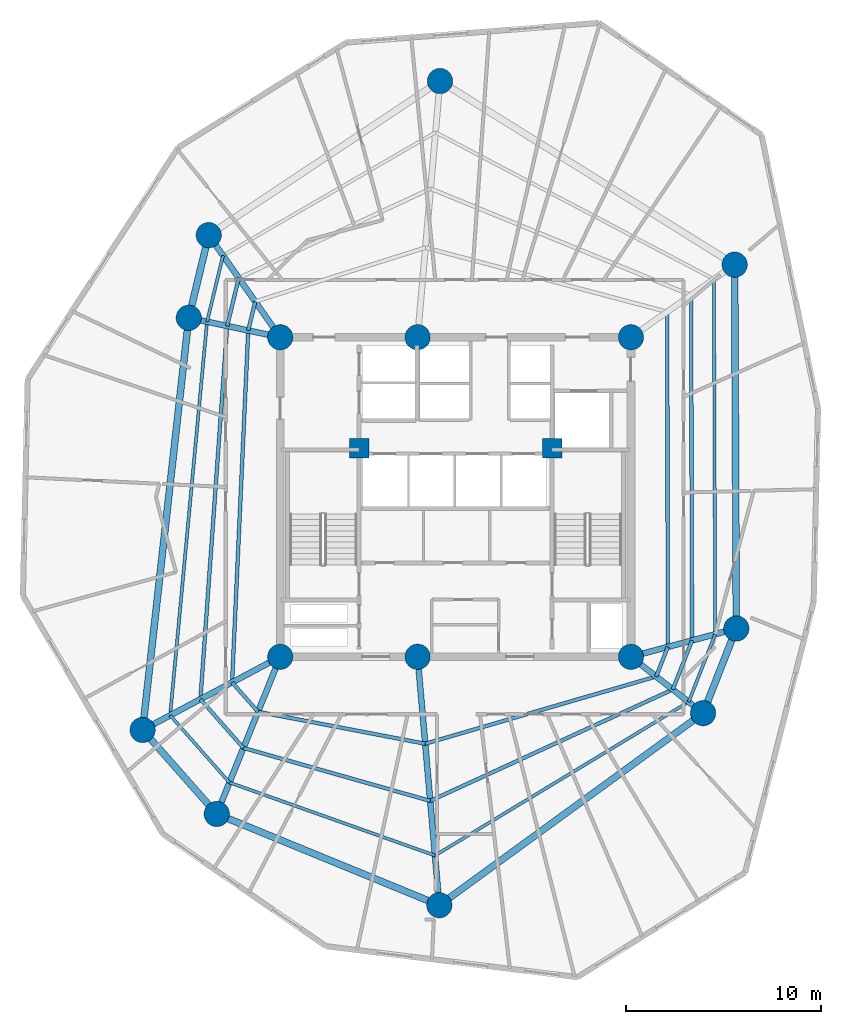
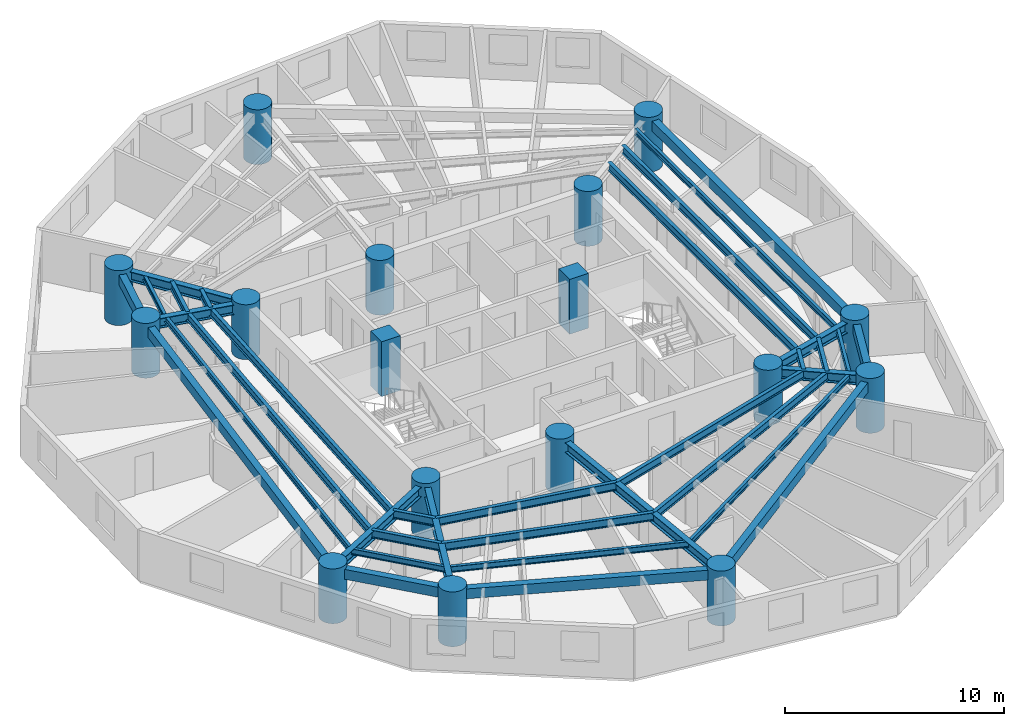
# One storey, part 1 of 8: 35 beams, 17 columns.
"""IFC4 building model written with IfcOpenShell, lengths in metres."""

from ifc_helpers import new_model, si_unit, direction, frame, origin, origin_with_axes, origin_2d, place, context, subcontext, project, spatial, rectangle, circle, i_section, extrude, source, transform, mapped, material, material_profile, profile_set, type_object, element, save


model = new_model("IFC4")

# Units and contexts
model_context = context("Model", 3, precision=1e-05, world=origin(), true_north=direction((0.0, 1.0)))
body_context = subcontext(model_context, "Body", "Model", "MODEL_VIEW")
ifc_project = project(units=[si_unit("LENGTHUNIT", "METRE"), si_unit("AREAUNIT", "SQUARE_METRE"), si_unit("VOLUMEUNIT", "CUBIC_METRE"), si_unit("PLANEANGLEUNIT", "RADIAN"), si_unit("MASSUNIT", "GRAM", prefix="KILO")], contexts=[model_context])

# Site, building, storey
site_placement = place(None, origin())
site = spatial("IfcSite", under=ifc_project, at=site_placement, CompositionType="ELEMENT")
building_placement = place(site_placement, origin())
building = spatial("IfcBuilding", under=site, at=building_placement, Name="Karkom Vertical University and Central Library", CompositionType="ELEMENT")
storey_placement = place(building_placement, frame((0.0, 0.0, 184.0)))
storey = spatial("IfcBuildingStorey", under=building, at=storey_placement, Name="L53", CompositionType="ELEMENT", Elevation=184.0)

# Columns
ifc_material_1 = material(Name="Concrete C50/60", Category="concrete")
ifc_material_profile_1 = material_profile(ifc_material_1, circle(Radius=0.64990234375, at=origin_2d()), Name="CFT-D1300")
ifc_profile_set_1 = profile_set([ifc_material_profile_1], Name="Concrete C50/60")
column_type_1 = type_object("IfcColumnType", Name="STR-COL-C-SC4", PredefinedType="COLUMN", material=ifc_profile_set_1)
shared_shape_1 = source(origin_with_axes(), body_context, "Body", "SweptSolid", [
    extrude(circle(Radius=0.64990234375, at=origin_2d()), origin(), (0.0, 0.0, 1.0), 3.050048828125),
])
for number, where, z_axis, x_axis, name in (
    (1, (19.5, 18.300048828125, 0.0), (0.0, 0.0, 1.0), (1.0, 0.0, 0.0), "Level 53 Spine Mega-Column SC-1"),
    (2, (26.550048828125, 18.300048828125, 0.0), (0.0, 0.0, 1.0), (1.0, 0.0, 0.0), "Level 53 Spine Mega-Column SC-2"),
    (3, (37.5, 18.300048828125, 0.0), (0.0, 0.0, 1.0), (1.0, 0.0, 0.0), "Level 53 Spine Mega-Column SC-3"),
    (4, (19.5, 34.699951171875, 0.0), (0.0, 0.0, 1.0), (1.0, 0.0, 0.0), "Level 53 Spine Mega-Column SC-4"),
    (5, (26.550048828125, 34.699951171875, 0.0), (0.0, 0.0, 1.0), (1.0, 0.0, 0.0), "Level 53 Spine Mega-Column SC-5"),
    (6, (37.5, 34.699951171875, 0.0), (0.0, 0.0, 1.0), (1.0, 0.0, 0.0), "Level 53 Spine Mega-Column SC-6"),
    (7, (42.908935546875, 19.7490234375, 0.0), (0.0, 0.0, 1.0), (1.0, 0.0, 0.0), "Level 53 Perimeter Mega-Column Z3-PC1"),
    (8, (42.823974609375, 38.427978515625, 0.0), (0.0, 0.0, 1.0), (1.0, 0.0, 0.0), "Level 53 Perimeter Mega-Column Z3-PC2"),
    (9, (27.699951171875, 47.85009765625, 0.0), (0.0, 0.0, 1.0), (1.0, 0.0, 0.0), "Level 53 Perimeter Mega-Column Z3-PC3"),
    (10, (15.8291015625, 39.943115234375, 0.0), (0.0, 0.0, 1.0), (1.0, 0.0, 0.0), "Level 53 Perimeter Mega-Column Z3-PC4"),
    (11, (14.804931640625, 35.697998046875, 0.0), (0.0, 0.0, 1.0), (1.0, 0.0, 0.0), "Level 53 Perimeter Mega-Column Z3-PC5"),
    (12, (12.43603515625, 14.5439453125, 0.0), (0.0, 0.0, 1.0), (1.0, 0.0, 0.0), "Level 53 Perimeter Mega-Column Z3-PC6"),
    (13, (16.240966796875, 10.23388671875, 0.0), (0.0, 0.0, 1.0), (1.0, 0.0, 0.0), "Level 53 Perimeter Mega-Column Z3-PC7"),
    (14, (27.666015625, 5.549072265625, 0.0), (0.0, 0.0, 1.0), (1.0, 0.0, 0.0), "Level 53 Perimeter Mega-Column Z3-PC8"),
    (15, (41.2041015625, 15.406005859375, 0.0), (0.0, 0.0, 1.0), (1.0, 0.0, 0.0), "Level 53 Perimeter Mega-Column Z3-PC9"),
):
    element("IfcColumn", number, at=place(storey_placement, frame(where, z_axis=z_axis, x_axis=x_axis)), inside=storey, type_object=column_type_1, Name=name, PredefinedType="COLUMN", context=body_context, shape_type="MappedRepresentation", body=[
        mapped(shared_shape_1, transform((0.0, 0.0, 0.0), scale=1.0)),
    ])
ifc_material_profile_2 = material_profile(ifc_material_1, rectangle(XDim=1.0, YDim=1.0, at=origin_2d()), Name="RC-1000x1000")
ifc_profile_set_2 = profile_set([ifc_material_profile_2], Name="Concrete C50/60")
column_type_2 = type_object("IfcColumnType", Name="STR-COL-C-CC2", PredefinedType="COLUMN", material=ifc_profile_set_2)
shared_shape_2 = source(origin_with_axes(), body_context, "Body", "SweptSolid", [
    extrude(rectangle(XDim=1.0, YDim=1.0, at=origin_2d()), origin(), (0.0, 0.0, 1.0), 3.050048828125),
])
for number, where, z_axis, x_axis, name in (
    (16, (23.550048828125, 29.0, 0.0), (0.0, 0.0, 1.0), (1.0, 0.0, 0.0), "Level 53 Core Node Column CC-1"),
    (17, (33.449951171875, 29.0, 0.0), (0.0, 0.0, 1.0), (1.0, 0.0, 0.0), "Level 53 Core Node Column CC-2"),
):
    element("IfcColumn", number, at=place(storey_placement, frame(where, z_axis=z_axis, x_axis=x_axis)), inside=storey, type_object=column_type_2, Name=name, PredefinedType="COLUMN", context=body_context, shape_type="MappedRepresentation", body=[
        mapped(shared_shape_2, transform((0.0, 0.0, 0.0), scale=1.0)),
    ])

# Beams
ifc_material_2 = material(Name="Precast concrete C45/55", Category="concrete")
ifc_material_profile_3 = material_profile(ifc_material_2, rectangle(XDim=0.35009765625, YDim=0.550048828125, at=origin_2d()), Name="SPB-350x550")
ifc_profile_set_3 = profile_set([ifc_material_profile_3], Name="Precast concrete C45/55")
beam_type_1 = type_object("IfcBeamType", Name="STR-BM-SP-2", PredefinedType="SPANDREL", material=ifc_profile_set_3)
shared_shape_3 = source(origin_with_axes(), body_context, "Body", "SweptSolid", [
    extrude(rectangle(XDim=0.35009765625, YDim=0.550048828125, at=origin_2d()), origin(), (0.0, 0.0, 1.0), 18.67919921875),
])
beam_1_placement = place(storey_placement, frame((42.908935546875, 19.7490234375, 2.550048828125), z_axis=(-0.004548437442, 0.999989655805, 0.0), x_axis=(-0.999989655805, -0.004548437442, 0.0)))
element("IfcBeam", 18, at=beam_1_placement, inside=storey, type_object=beam_type_1, Name="Level 53 Perimeter Spandrel Beam 01", PredefinedType="SPANDREL", context=body_context, shape_type="MappedRepresentation", body=[
    mapped(shared_shape_3, transform((0.0, 0.0, 0.0), scale=1.0)),
])
shared_shape_4 = source(origin_with_axes(), body_context, "Body", "SweptSolid", [
    extrude(rectangle(XDim=0.35009765625, YDim=0.550048828125, at=origin_2d()), origin(), (0.0, 0.0, 1.0), 4.366943359375),
])
beam_2_placement = place(storey_placement, frame((15.8291015625, 39.943115234375, 2.550048828125), z_axis=(-0.234529408772, -0.972109024966, 0.0), x_axis=(0.972109024966, -0.234529408772, 0.0)))
element("IfcBeam", 19, at=beam_2_placement, inside=storey, type_object=beam_type_1, Name="Level 53 Perimeter Spandrel Beam 04", PredefinedType="SPANDREL", context=body_context, shape_type="MappedRepresentation", body=[
    mapped(shared_shape_4, transform((0.0, 0.0, 0.0), scale=1.0)),
])
shared_shape_5 = source(origin_with_axes(), body_context, "Body", "SweptSolid", [
    extrude(rectangle(XDim=0.35009765625, YDim=0.550048828125, at=origin_2d()), origin(), (0.0, 0.0, 1.0), 21.286376953125),
])
beam_3_placement = place(storey_placement, frame((14.804931640625, 35.697998046875, 2.550048828125), z_axis=(-0.111287493264, -0.993788254028, 0.0), x_axis=(0.993788254028, -0.111287493264, 0.0)))
element("IfcBeam", 20, at=beam_3_placement, inside=storey, type_object=beam_type_1, Name="Level 53 Perimeter Spandrel Beam 05", PredefinedType="SPANDREL", context=body_context, shape_type="MappedRepresentation", body=[
    mapped(shared_shape_5, transform((0.0, 0.0, 0.0), scale=1.0)),
])
shared_shape_6 = source(origin_with_axes(), body_context, "Body", "SweptSolid", [
    extrude(rectangle(XDim=0.35009765625, YDim=0.550048828125, at=origin_2d()), origin(), (0.0, 0.0, 1.0), 5.749267578125),
])
beam_4_placement = place(storey_placement, frame((12.43603515625, 14.5439453125, 2.550048828125), z_axis=(0.661811219671, -0.74967053398, 0.0), x_axis=(0.74967053398, 0.661811219671, 0.0)))
element("IfcBeam", 21, at=beam_4_placement, inside=storey, type_object=beam_type_1, Name="Level 53 Perimeter Spandrel Beam 06", PredefinedType="SPANDREL", context=body_context, shape_type="MappedRepresentation", body=[
    mapped(shared_shape_6, transform((0.0, 0.0, 0.0), scale=1.0)),
])
shared_shape_7 = source(origin_with_axes(), body_context, "Body", "SweptSolid", [
    extrude(rectangle(XDim=0.35009765625, YDim=0.550048828125, at=origin_2d()), origin(), (0.0, 0.0, 1.0), 12.34814453125),
])
beam_5_placement = place(storey_placement, frame((16.240966796875, 10.23388671875, 2.550048828125), z_axis=(0.925236428984, -0.37939102583, 0.0), x_axis=(0.37939102583, 0.925236428984, 0.0)))
element("IfcBeam", 22, at=beam_5_placement, inside=storey, type_object=beam_type_1, Name="Level 53 Perimeter Spandrel Beam 07", PredefinedType="SPANDREL", context=body_context, shape_type="MappedRepresentation", body=[
    mapped(shared_shape_7, transform((0.0, 0.0, 0.0), scale=1.0)),
])
shared_shape_8 = source(origin_with_axes(), body_context, "Body", "SweptSolid", [
    extrude(rectangle(XDim=0.35009765625, YDim=0.550048828125, at=origin_2d()), origin(), (0.0, 0.0, 1.0), 16.746337890625),
])
beam_6_placement = place(storey_placement, frame((27.666015625, 5.549072265625, 2.550048828125), z_axis=(0.808422013284, 0.588603303115, 0.0), x_axis=(-0.588603303115, 0.808422013284, 0.0)))
element("IfcBeam", 23, at=beam_6_placement, inside=storey, type_object=beam_type_1, Name="Level 53 Perimeter Spandrel Beam 08", PredefinedType="SPANDREL", context=body_context, shape_type="MappedRepresentation", body=[
    mapped(shared_shape_8, transform((0.0, 0.0, 0.0), scale=1.0)),
])
shared_shape_9 = source(origin_with_axes(), body_context, "Body", "SweptSolid", [
    extrude(rectangle(XDim=0.35009765625, YDim=0.550048828125, at=origin_2d()), origin(), (0.0, 0.0, 1.0), 4.66552734375),
])
beam_7_placement = place(storey_placement, frame((41.2041015625, 15.406005859375, 2.550048828125), z_axis=(0.365401419454, 0.930850043058, 0.0), x_axis=(-0.930850043058, 0.365401419454, 0.0)))
element("IfcBeam", 24, at=beam_7_placement, inside=storey, type_object=beam_type_1, Name="Level 53 Perimeter Spandrel Beam 09", PredefinedType="SPANDREL", context=body_context, shape_type="MappedRepresentation", body=[
    mapped(shared_shape_9, transform((0.0, 0.0, 0.0), scale=1.0)),
])
ifc_material_3 = material(Name="Steel S355", Category="steel")
ifc_material_profile_4 = material_profile(ifc_material_3, i_section(OverallWidth=0.18994140625, OverallDepth=0.449951171875, WebThickness=0.009521484375, FlangeThickness=0.0146484375, FilletRadius=0.02099609375, at=origin_2d()), Name="IPE 450")
ifc_profile_set_4 = profile_set([ifc_material_profile_4], Name="Steel S355")
beam_type_2 = type_object("IfcBeamType", Name="STR-BM-SB-IPE450", PredefinedType="BEAM", material=ifc_profile_set_4)
shared_shape_10 = source(origin_with_axes(), body_context, "Body", "SweptSolid", [
    extrude(i_section(OverallWidth=0.18994140625, OverallDepth=0.449951171875, WebThickness=0.009521484375, FlangeThickness=0.0146484375, FilletRadius=0.02099609375, at=origin_2d()), origin(), (0.0, 0.0, 1.0), 17.19775390625),
])
beam_8_placement = place(storey_placement, frame((39.39306640625, 18.80712890625, 2.60009765625), z_axis=(-0.001731918699, 0.999998500228, 0.0), x_axis=(-0.999998500228, -0.001731918699, 0.0)))
element("IfcBeam", 25, at=beam_8_placement, inside=storey, type_object=beam_type_2, Name="Level 53 Secondary Composite Floor Beam 1.01", PredefinedType="BEAM", context=body_context, shape_type="MappedRepresentation", body=[
    mapped(shared_shape_10, transform((0.0, 0.0, 0.0), scale=1.0)),
])
shared_shape_11 = source(origin_with_axes(), body_context, "Body", "SweptSolid", [
    extrude(i_section(OverallWidth=0.18994140625, OverallDepth=0.449951171875, WebThickness=0.009521484375, FlangeThickness=0.0146484375, FilletRadius=0.02099609375, at=origin_2d()), origin(), (0.0, 0.0, 1.0), 1.5283203125),
])
beam_9_placement = place(storey_placement, frame((18.215087890625, 36.534912109375, 2.60009765625), z_axis=(-0.234520804587, -0.972111100757, 0.0), x_axis=(0.972111100757, -0.234520804587, 0.0)))
element("IfcBeam", 26, at=beam_9_placement, inside=storey, type_object=beam_type_2, Name="Level 53 Secondary Composite Floor Beam 1.04", PredefinedType="BEAM", context=body_context, shape_type="MappedRepresentation", body=[
    mapped(shared_shape_11, transform((0.0, 0.0, 0.0), scale=1.0)),
])
shared_shape_12 = source(origin_with_axes(), body_context, "Body", "SweptSolid", [
    extrude(i_section(OverallWidth=0.18994140625, OverallDepth=0.449951171875, WebThickness=0.009521484375, FlangeThickness=0.0146484375, FilletRadius=0.02099609375, at=origin_2d()), origin(), (0.0, 0.0, 1.0), 18.0830078125),
])
beam_10_placement = place(storey_placement, frame((17.856689453125, 35.04931640625, 2.60009765625), z_axis=(-0.04584982532, -0.998948343769, 0.0), x_axis=(0.998948343769, -0.04584982532, 0.0)))
element("IfcBeam", 27, at=beam_10_placement, inside=storey, type_object=beam_type_2, Name="Level 53 Secondary Composite Floor Beam 1.05", PredefinedType="BEAM", context=body_context, shape_type="MappedRepresentation", body=[
    mapped(shared_shape_12, transform((0.0, 0.0, 0.0), scale=1.0)),
])
shared_shape_13 = source(origin_with_axes(), body_context, "Body", "SweptSolid", [
    extrude(i_section(OverallWidth=0.18994140625, OverallDepth=0.449951171875, WebThickness=0.009521484375, FlangeThickness=0.0146484375, FilletRadius=0.02099609375, at=origin_2d()), origin(), (0.0, 0.0, 1.0), 2.01220703125),
])
beam_11_placement = place(storey_placement, frame((17.027587890625, 16.9853515625, 2.60009765625), z_axis=(0.661822246424, -0.749660799387, 0.0), x_axis=(0.749660799387, 0.661822246424, 0.0)))
element("IfcBeam", 28, at=beam_11_placement, inside=storey, type_object=beam_type_2, Name="Level 53 Secondary Composite Floor Beam 1.06", PredefinedType="BEAM", context=body_context, shape_type="MappedRepresentation", body=[
    mapped(shared_shape_13, transform((0.0, 0.0, 0.0), scale=1.0)),
])
shared_shape_14 = source(origin_with_axes(), body_context, "Body", "SweptSolid", [
    extrude(i_section(OverallWidth=0.18994140625, OverallDepth=0.449951171875, WebThickness=0.009521484375, FlangeThickness=0.0146484375, FilletRadius=0.02099609375, at=origin_2d()), origin(), (0.0, 0.0, 1.0), 8.736572265625),
])
beam_12_placement = place(storey_placement, frame((18.359375, 15.476806640625, 2.60009765625), z_axis=(0.982230782932, -0.187677087205, 0.0), x_axis=(0.187677087205, 0.982230782932, 0.0)))
element("IfcBeam", 29, at=beam_12_placement, inside=storey, type_object=beam_type_2, Name="Level 53 Secondary Composite Floor Beam 1.07", PredefinedType="BEAM", context=body_context, shape_type="MappedRepresentation", body=[
    mapped(shared_shape_14, transform((0.0, 0.0, 0.0), scale=1.0)),
])
shared_shape_15 = source(origin_with_axes(), body_context, "Body", "SweptSolid", [
    extrude(i_section(OverallWidth=0.18994140625, OverallDepth=0.449951171875, WebThickness=0.009521484375, FlangeThickness=0.0146484375, FilletRadius=0.02099609375, at=origin_2d()), origin(), (0.0, 0.0, 1.0), 12.347412109375),
])
beam_13_placement = place(storey_placement, frame((26.940673828125, 13.837158203125, 2.60009765625), z_axis=(0.960173212987, 0.279405442077, 0.0), x_axis=(-0.279405442077, 0.960173212987, 0.0)))
element("IfcBeam", 30, at=beam_13_placement, inside=storey, type_object=beam_type_2, Name="Level 53 Secondary Composite Floor Beam 1.08", PredefinedType="BEAM", context=body_context, shape_type="MappedRepresentation", body=[
    mapped(shared_shape_15, transform((0.0, 0.0, 0.0), scale=1.0)),
])
shared_shape_16 = source(origin_with_axes(), body_context, "Body", "SweptSolid", [
    extrude(i_section(OverallWidth=0.18994140625, OverallDepth=0.449951171875, WebThickness=0.009521484375, FlangeThickness=0.0146484375, FilletRadius=0.02099609375, at=origin_2d()), origin(), (0.0, 0.0, 1.0), 1.633056640625),
])
beam_14_placement = place(storey_placement, frame((38.79638671875, 17.287109375, 2.60009765625), z_axis=(0.365402570083, 0.930849591382, 0.0), x_axis=(-0.930849591382, 0.365402570083, 0.0)))
element("IfcBeam", 31, at=beam_14_placement, inside=storey, type_object=beam_type_2, Name="Level 53 Secondary Composite Floor Beam 1.09", PredefinedType="BEAM", context=body_context, shape_type="MappedRepresentation", body=[
    mapped(shared_shape_16, transform((0.0, 0.0, 0.0), scale=1.0)),
])
shared_shape_17 = source(origin_with_axes(), body_context, "Body", "SweptSolid", [
    extrude(i_section(OverallWidth=0.18994140625, OverallDepth=0.449951171875, WebThickness=0.009521484375, FlangeThickness=0.0146484375, FilletRadius=0.02099609375, at=origin_2d()), origin(), (0.0, 0.0, 1.0), 17.721923828125),
])
beam_15_placement = place(storey_placement, frame((40.63720703125, 19.140380859375, 2.60009765625), z_axis=(-0.002782780006, 0.99999612806, 0.0), x_axis=(-0.99999612806, -0.002782780006, 0.0)))
element("IfcBeam", 32, at=beam_15_placement, inside=storey, type_object=beam_type_2, Name="Level 53 Secondary Composite Floor Beam 2.01", PredefinedType="BEAM", context=body_context, shape_type="MappedRepresentation", body=[
    mapped(shared_shape_17, transform((0.0, 0.0, 0.0), scale=1.0)),
])
shared_shape_18 = source(origin_with_axes(), body_context, "Body", "SweptSolid", [
    extrude(i_section(OverallWidth=0.18994140625, OverallDepth=0.449951171875, WebThickness=0.009521484375, FlangeThickness=0.0146484375, FilletRadius=0.02099609375, at=origin_2d()), origin(), (0.0, 0.0, 1.0), 2.53271484375),
])
beam_16_placement = place(storey_placement, frame((17.370849609375, 37.740966796875, 2.60009765625), z_axis=(-0.234521178828, -0.972111010472, 0.0), x_axis=(0.972111010472, -0.234521178828, 0.0)))
element("IfcBeam", 33, at=beam_16_placement, inside=storey, type_object=beam_type_2, Name="Level 53 Secondary Composite Floor Beam 2.04", PredefinedType="BEAM", context=body_context, shape_type="MappedRepresentation", body=[
    mapped(shared_shape_18, transform((0.0, 0.0, 0.0), scale=1.0)),
])
shared_shape_19 = source(origin_with_axes(), body_context, "Body", "SweptSolid", [
    extrude(i_section(OverallWidth=0.18994140625, OverallDepth=0.449951171875, WebThickness=0.009521484375, FlangeThickness=0.0146484375, FilletRadius=0.02099609375, at=origin_2d()), origin(), (0.0, 0.0, 1.0), 19.20654296875),
])
beam_17_placement = place(storey_placement, frame((16.77685546875, 35.27880859375, 2.60009765625), z_axis=(-0.071539731632, -0.997437750839, 0.0), x_axis=(0.997437750839, -0.071539731632, 0.0)))
element("IfcBeam", 34, at=beam_17_placement, inside=storey, type_object=beam_type_2, Name="Level 53 Secondary Composite Floor Beam 2.05", PredefinedType="BEAM", context=body_context, shape_type="MappedRepresentation", body=[
    mapped(shared_shape_19, transform((0.0, 0.0, 0.0), scale=1.0)),
])
shared_shape_20 = source(origin_with_axes(), body_context, "Body", "SweptSolid", [
    extrude(i_section(OverallWidth=0.18994140625, OverallDepth=0.449951171875, WebThickness=0.009521484375, FlangeThickness=0.0146484375, FilletRadius=0.02099609375, at=origin_2d()), origin(), (0.0, 0.0, 1.0), 3.334716796875),
])
beam_18_placement = place(storey_placement, frame((15.40283203125, 16.12158203125, 2.60009765625), z_axis=(0.661815321502, -0.749666912852, 0.0), x_axis=(0.749666912852, 0.661815321502, 0.0)))
element("IfcBeam", 35, at=beam_18_placement, inside=storey, type_object=beam_type_2, Name="Level 53 Secondary Composite Floor Beam 2.06", PredefinedType="BEAM", context=body_context, shape_type="MappedRepresentation", body=[
    mapped(shared_shape_20, transform((0.0, 0.0, 0.0), scale=1.0)),
])
shared_shape_21 = source(origin_with_axes(), body_context, "Body", "SweptSolid", [
    extrude(i_section(OverallWidth=0.18994140625, OverallDepth=0.449951171875, WebThickness=0.009521484375, FlangeThickness=0.0146484375, FilletRadius=0.02099609375, at=origin_2d()), origin(), (0.0, 0.0, 1.0), 9.965087890625),
])
beam_19_placement = place(storey_placement, frame((17.60986328125, 13.62158203125, 2.60009765625), z_axis=(0.962104232935, -0.272681948372, 0.0), x_axis=(0.272681948372, 0.962104232935, 0.0)))
element("IfcBeam", 36, at=beam_19_placement, inside=storey, type_object=beam_type_2, Name="Level 53 Secondary Composite Floor Beam 2.07", PredefinedType="BEAM", context=body_context, shape_type="MappedRepresentation", body=[
    mapped(shared_shape_21, transform((0.0, 0.0, 0.0), scale=1.0)),
])
shared_shape_22 = source(origin_with_axes(), body_context, "Body", "SweptSolid", [
    extrude(i_section(OverallWidth=0.18994140625, OverallDepth=0.449951171875, WebThickness=0.009521484375, FlangeThickness=0.0146484375, FilletRadius=0.02099609375, at=origin_2d()), origin(), (0.0, 0.0, 1.0), 13.700927734375),
])
beam_20_placement = place(storey_placement, frame((27.197265625, 10.904296875, 2.60009765625), z_axis=(0.908771280691, 0.417294571486, 0.0), x_axis=(-0.417294571486, 0.908771280691, 0.0)))
element("IfcBeam", 37, at=beam_20_placement, inside=storey, type_object=beam_type_2, Name="Level 53 Secondary Composite Floor Beam 2.08", PredefinedType="BEAM", context=body_context, shape_type="MappedRepresentation", body=[
    mapped(shared_shape_22, transform((0.0, 0.0, 0.0), scale=1.0)),
])
shared_shape_23 = source(origin_with_axes(), body_context, "Body", "SweptSolid", [
    extrude(i_section(OverallWidth=0.18994140625, OverallDepth=0.449951171875, WebThickness=0.009521484375, FlangeThickness=0.0146484375, FilletRadius=0.02099609375, at=origin_2d()), origin(), (0.0, 0.0, 1.0), 2.7060546875),
])
beam_21_placement = place(storey_placement, frame((39.648193359375, 16.62158203125, 2.60009765625), z_axis=(0.365487674906, 0.930816179217, 0.0), x_axis=(-0.930816179217, 0.365487674906, 0.0)))
element("IfcBeam", 38, at=beam_21_placement, inside=storey, type_object=beam_type_2, Name="Level 53 Secondary Composite Floor Beam 2.09", PredefinedType="BEAM", context=body_context, shape_type="MappedRepresentation", body=[
    mapped(shared_shape_23, transform((0.0, 0.0, 0.0), scale=1.0)),
])
ifc_material_profile_5 = material_profile(ifc_material_3, i_section(OverallWidth=0.159912109375, OverallDepth=0.330078125, WebThickness=0.007568359375, FlangeThickness=0.011474609375, FilletRadius=0.01806640625, at=origin_2d()), Name="IPE 330")
ifc_profile_set_5 = profile_set([ifc_material_profile_5], Name="Steel S355")
beam_type_3 = type_object("IfcBeamType", Name="STR-BM-SB-IPE330", PredefinedType="BEAM", material=ifc_profile_set_5)
shared_shape_24 = source(origin_with_axes(), body_context, "Body", "SweptSolid", [
    extrude(i_section(OverallWidth=0.159912109375, OverallDepth=0.330078125, WebThickness=0.007568359375, FlangeThickness=0.011474609375, FilletRadius=0.01806640625, at=origin_2d()), origin(), (0.0, 0.0, 1.0), 18.223388671875),
])
beam_22_placement = place(storey_placement, frame((41.8271484375, 19.459228515625, 2.659912109375), z_axis=(-0.003724418851, 0.999993064328, 0.0), x_axis=(-0.999993064328, -0.003724418851, 0.0)))
element("IfcBeam", 39, at=beam_22_placement, inside=storey, type_object=beam_type_3, Name="Level 53 Secondary Composite Floor Beam 3.01", PredefinedType="BEAM", context=body_context, shape_type="MappedRepresentation", body=[
    mapped(shared_shape_24, transform((0.0, 0.0, 0.0), scale=1.0)),
])
shared_shape_25 = source(origin_with_axes(), body_context, "Body", "SweptSolid", [
    extrude(i_section(OverallWidth=0.159912109375, OverallDepth=0.330078125, WebThickness=0.007568359375, FlangeThickness=0.011474609375, FilletRadius=0.01806640625, at=origin_2d()), origin(), (0.0, 0.0, 1.0), 3.493408203125),
])
beam_23_placement = place(storey_placement, frame((16.563232421875, 38.894287109375, 2.659912109375), z_axis=(-0.234535781995, -0.972107487351, 0.0), x_axis=(0.972107487351, -0.234535781995, 0.0)))
element("IfcBeam", 40, at=beam_23_placement, inside=storey, type_object=beam_type_3, Name="Level 53 Secondary Composite Floor Beam 3.04", PredefinedType="BEAM", context=body_context, shape_type="MappedRepresentation", body=[
    mapped(shared_shape_25, transform((0.0, 0.0, 0.0), scale=1.0)),
])
shared_shape_26 = source(origin_with_axes(), body_context, "Body", "SweptSolid", [
    extrude(i_section(OverallWidth=0.159912109375, OverallDepth=0.330078125, WebThickness=0.007568359375, FlangeThickness=0.011474609375, FilletRadius=0.01806640625, at=origin_2d()), origin(), (0.0, 0.0, 1.0), 20.291748046875),
])
beam_24_placement = place(storey_placement, frame((15.743896484375, 35.498291015625, 2.659912109375), z_axis=(-0.093388415244, -0.995629752417, 0.0), x_axis=(0.995629752417, -0.093388415244, 0.0)))
element("IfcBeam", 41, at=beam_24_placement, inside=storey, type_object=beam_type_3, Name="Level 53 Secondary Composite Floor Beam 3.05", PredefinedType="BEAM", context=body_context, shape_type="MappedRepresentation", body=[
    mapped(shared_shape_26, transform((0.0, 0.0, 0.0), scale=1.0)),
])
shared_shape_27 = source(origin_with_axes(), body_context, "Body", "SweptSolid", [
    extrude(i_section(OverallWidth=0.159912109375, OverallDepth=0.330078125, WebThickness=0.007568359375, FlangeThickness=0.011474609375, FilletRadius=0.01806640625, at=origin_2d()), origin(), (0.0, 0.0, 1.0), 4.599365234375),
])
beam_25_placement = place(storey_placement, frame((13.848876953125, 15.295166015625, 2.659912109375), z_axis=(0.661816486801, -0.74966588411, 0.0), x_axis=(0.74966588411, 0.661816486801, 0.0)))
element("IfcBeam", 42, at=beam_25_placement, inside=storey, type_object=beam_type_3, Name="Level 53 Secondary Composite Floor Beam 3.06", PredefinedType="BEAM", context=body_context, shape_type="MappedRepresentation", body=[
    mapped(shared_shape_27, transform((0.0, 0.0, 0.0), scale=1.0)),
])
shared_shape_28 = source(origin_with_axes(), body_context, "Body", "SweptSolid", [
    extrude(i_section(OverallWidth=0.159912109375, OverallDepth=0.330078125, WebThickness=0.007568359375, FlangeThickness=0.011474609375, FilletRadius=0.01806640625, at=origin_2d()), origin(), (0.0, 0.0, 1.0), 11.196044921875),
])
beam_26_placement = place(storey_placement, frame((16.892822265625, 11.84716796875, 2.659912109375), z_axis=(0.942301538336, -0.334765307119, 0.0), x_axis=(0.334765307119, 0.942301538336, 0.0)))
element("IfcBeam", 43, at=beam_26_placement, inside=storey, type_object=beam_type_3, Name="Level 53 Secondary Composite Floor Beam 3.07", PredefinedType="BEAM", context=body_context, shape_type="MappedRepresentation", body=[
    mapped(shared_shape_28, transform((0.0, 0.0, 0.0), scale=1.0)),
])
shared_shape_29 = source(origin_with_axes(), body_context, "Body", "SweptSolid", [
    extrude(i_section(OverallWidth=0.159912109375, OverallDepth=0.330078125, WebThickness=0.007568359375, FlangeThickness=0.011474609375, FilletRadius=0.01806640625, at=origin_2d()), origin(), (0.0, 0.0, 1.0), 15.22216796875),
])
beam_27_placement = place(storey_placement, frame((27.44287109375, 8.09912109375, 2.659912109375), z_axis=(0.855352900974, 0.518045765155, 0.0), x_axis=(-0.518045765155, 0.855352900974, 0.0)))
element("IfcBeam", 44, at=beam_27_placement, inside=storey, type_object=beam_type_3, Name="Level 53 Secondary Composite Floor Beam 3.08", PredefinedType="BEAM", context=body_context, shape_type="MappedRepresentation", body=[
    mapped(shared_shape_29, transform((0.0, 0.0, 0.0), scale=1.0)),
])
shared_shape_30 = source(origin_with_axes(), body_context, "Body", "SweptSolid", [
    extrude(i_section(OverallWidth=0.159912109375, OverallDepth=0.330078125, WebThickness=0.007568359375, FlangeThickness=0.011474609375, FilletRadius=0.01806640625, at=origin_2d()), origin(), (0.0, 0.0, 1.0), 3.732421875),
])
beam_28_placement = place(storey_placement, frame((40.463134765625, 15.98486328125, 2.659912109375), z_axis=(0.365439874109, 0.930834946922, 0.0), x_axis=(-0.930834946922, 0.365439874109, 0.0)))
element("IfcBeam", 45, at=beam_28_placement, inside=storey, type_object=beam_type_3, Name="Level 53 Secondary Composite Floor Beam 3.09", PredefinedType="BEAM", context=body_context, shape_type="MappedRepresentation", body=[
    mapped(shared_shape_30, transform((0.0, 0.0, 0.0), scale=1.0)),
])
ifc_material_profile_6 = material_profile(ifc_material_3, i_section(OverallWidth=0.300048828125, OverallDepth=0.550048828125, WebThickness=0.014892578125, FlangeThickness=0.029052734375, FilletRadius=0.027099609375, at=origin_2d()), Name="HE 550 B")
ifc_profile_set_6 = profile_set([ifc_material_profile_6], Name="Steel S355")
beam_type_4 = type_object("IfcBeamType", Name="STR-BM-SB-HE550", PredefinedType="USERDEFINED", material=ifc_profile_set_6)
shared_shape_31 = source(origin_with_axes(), body_context, "Body", "SweptSolid", [
    extrude(i_section(OverallWidth=0.300048828125, OverallDepth=0.550048828125, WebThickness=0.014892578125, FlangeThickness=0.029052734375, FilletRadius=0.027099609375, at=origin_2d()), origin(), (0.0, 0.0, 1.0), 5.599609375),
])
beam_29_placement = place(storey_placement, frame((37.5, 18.300048828125, 2.550048828125), z_axis=(0.965941240814, 0.258761510459, 0.0), x_axis=(-0.258761510459, 0.965941240814, 0.0)))
element("IfcBeam", 46, at=beam_29_placement, inside=storey, type_object=beam_type_4, Name="Level 53 Radial Frame Girder 01", ObjectType="GIRDER", PredefinedType="USERDEFINED", context=body_context, shape_type="MappedRepresentation", body=[
    mapped(shared_shape_31, transform((0.0, 0.0, 0.0), scale=1.0)),
])
shared_shape_32 = source(origin_with_axes(), body_context, "Body", "SweptSolid", [
    extrude(i_section(OverallWidth=0.300048828125, OverallDepth=0.550048828125, WebThickness=0.014892578125, FlangeThickness=0.029052734375, FilletRadius=0.027099609375, at=origin_2d()), origin(), (0.0, 0.0, 1.0), 6.400390625),
])
beam_30_placement = place(storey_placement, frame((19.5, 34.699951171875, 2.550048828125), z_axis=(-0.573534022273, 0.81918174131, 0.0), x_axis=(-0.81918174131, -0.573534022273, 0.0)))
element("IfcBeam", 47, at=beam_30_placement, inside=storey, type_object=beam_type_4, Name="Level 53 Radial Frame Girder 04", ObjectType="GIRDER", PredefinedType="USERDEFINED", context=body_context, shape_type="MappedRepresentation", body=[
    mapped(shared_shape_32, transform((0.0, 0.0, 0.0), scale=1.0)),
])
shared_shape_33 = source(origin_with_axes(), body_context, "Body", "SweptSolid", [
    extrude(i_section(OverallWidth=0.300048828125, OverallDepth=0.550048828125, WebThickness=0.014892578125, FlangeThickness=0.029052734375, FilletRadius=0.027099609375, at=origin_2d()), origin(), (0.0, 0.0, 1.0), 4.800048828125),
])
beam_31_placement = place(storey_placement, frame((19.5, 34.699951171875, 2.550048828125), z_axis=(-0.978144241295, 0.207927495108, 0.0), x_axis=(-0.207927495108, -0.978144241295, 0.0)))
element("IfcBeam", 48, at=beam_31_placement, inside=storey, type_object=beam_type_4, Name="Level 53 Radial Frame Girder 05", ObjectType="GIRDER", PredefinedType="USERDEFINED", context=body_context, shape_type="MappedRepresentation", body=[
    mapped(shared_shape_33, transform((0.0, 0.0, 0.0), scale=1.0)),
])
shared_shape_34 = source(origin_with_axes(), body_context, "Body", "SweptSolid", [
    extrude(i_section(OverallWidth=0.300048828125, OverallDepth=0.550048828125, WebThickness=0.014892578125, FlangeThickness=0.029052734375, FilletRadius=0.027099609375, at=origin_2d()), origin(), (0.0, 0.0, 1.0), 8.00048828125),
])
beam_32_placement = place(storey_placement, frame((19.5, 18.300048828125, 2.550048828125), z_axis=(-0.882941023922, -0.46948391695, 0.0), x_axis=(0.46948391695, -0.882941023922, 0.0)))
element("IfcBeam", 49, at=beam_32_placement, inside=storey, type_object=beam_type_4, Name="Level 53 Radial Frame Girder 06", ObjectType="GIRDER", PredefinedType="USERDEFINED", context=body_context, shape_type="MappedRepresentation", body=[
    mapped(shared_shape_34, transform((0.0, 0.0, 0.0), scale=1.0)),
])
shared_shape_35 = source(origin_with_axes(), body_context, "Body", "SweptSolid", [
    extrude(i_section(OverallWidth=0.300048828125, OverallDepth=0.550048828125, WebThickness=0.014892578125, FlangeThickness=0.029052734375, FilletRadius=0.027099609375, at=origin_2d()), origin(), (0.0, 0.0, 1.0), 8.69970703125),
])
beam_33_placement = place(storey_placement, frame((19.5, 18.300048828125, 2.550048828125), z_axis=(-0.374615701214, -0.927180174725, 0.0), x_axis=(0.927180174725, -0.374615701214, 0.0)))
element("IfcBeam", 50, at=beam_33_placement, inside=storey, type_object=beam_type_4, Name="Level 53 Radial Frame Girder 07", ObjectType="GIRDER", PredefinedType="USERDEFINED", context=body_context, shape_type="MappedRepresentation", body=[
    mapped(shared_shape_35, transform((0.0, 0.0, 0.0), scale=1.0)),
])
shared_shape_36 = source(origin_with_axes(), body_context, "Body", "SweptSolid", [
    extrude(i_section(OverallWidth=0.300048828125, OverallDepth=0.550048828125, WebThickness=0.014892578125, FlangeThickness=0.029052734375, FilletRadius=0.027099609375, at=origin_2d()), origin(), (0.0, 0.0, 1.0), 12.7998046875),
])
beam_34_placement = place(storey_placement, frame((26.550048828125, 18.300048828125, 2.550048828125), z_axis=(0.087186825694, -0.996191978198, 0.0), x_axis=(0.996191978198, 0.087186825694, 0.0)))
element("IfcBeam", 51, at=beam_34_placement, inside=storey, type_object=beam_type_4, Name="Level 53 Radial Frame Girder 08", ObjectType="GIRDER", PredefinedType="USERDEFINED", context=body_context, shape_type="MappedRepresentation", body=[
    mapped(shared_shape_36, transform((0.0, 0.0, 0.0), scale=1.0)),
])
shared_shape_37 = source(origin_with_axes(), body_context, "Body", "SweptSolid", [
    extrude(i_section(OverallWidth=0.300048828125, OverallDepth=0.550048828125, WebThickness=0.014892578125, FlangeThickness=0.029052734375, FilletRadius=0.027099609375, at=origin_2d()), origin(), (0.0, 0.0, 1.0), 4.70068359375),
])
beam_35_placement = place(storey_placement, frame((37.5, 18.300048828125, 2.550048828125), z_axis=(0.788002325582, -0.615672262553, 0.0), x_axis=(0.615672262553, 0.788002325582, 0.0)))
element("IfcBeam", 52, at=beam_35_placement, inside=storey, type_object=beam_type_4, Name="Level 53 Radial Frame Girder 09", ObjectType="GIRDER", PredefinedType="USERDEFINED", context=body_context, shape_type="MappedRepresentation", body=[
    mapped(shared_shape_37, transform((0.0, 0.0, 0.0), scale=1.0)),
])

save(model, "model.ifc")
